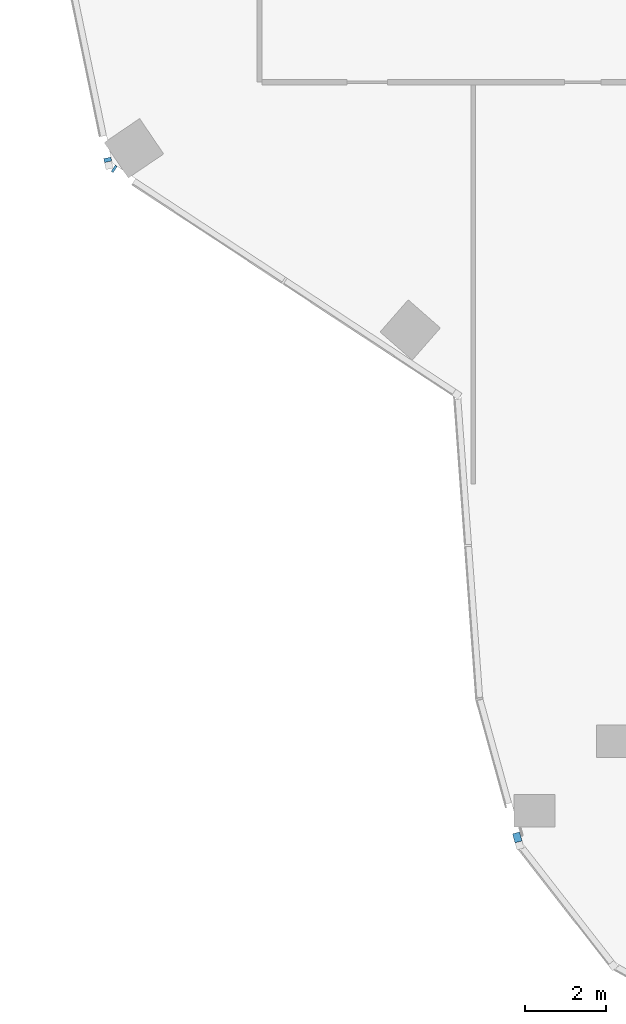
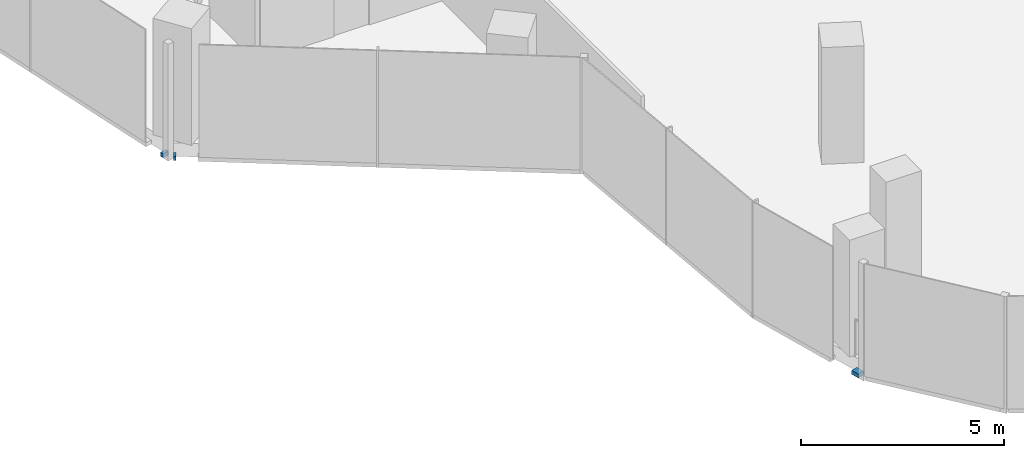
# One storey, part 12 of 24: 3 members, 3 elements without a shape of their own.
"""IFC4 building model written with IfcOpenShell, lengths in metres."""

from ifc_helpers import new_model, si_unit, direction, frame, origin, origin_2d, place, context, subcontext, project, spatial, rectangle, extrude, material, material_profile, profile_set, type_object, element, aggregate, save


model = new_model("IFC4")

# Units and contexts
model_context = context("Model", 3, precision=1e-05, world=origin(), true_north=direction((0.0, 1.0)))
body_context = subcontext(model_context, "Body", "Model", "MODEL_VIEW")
ifc_project = project(units=[si_unit("LENGTHUNIT", "METRE"), si_unit("AREAUNIT", "SQUARE_METRE"), si_unit("VOLUMEUNIT", "CUBIC_METRE"), si_unit("PLANEANGLEUNIT", "RADIAN"), si_unit("MASSUNIT", "GRAM", prefix="KILO")], contexts=[model_context])

# Site, building, storey
site_placement = place(None, origin())
site = spatial("IfcSite", under=ifc_project, at=site_placement, CompositionType="ELEMENT")
building_placement = place(site_placement, origin())
building = spatial("IfcBuilding", under=site, at=building_placement, Name="Orlundy Tower", CompositionType="ELEMENT")
storey_placement = place(building_placement, frame((0.0, 0.0, 242.5)))
storey = spatial("IfcBuildingStorey", under=building, at=storey_placement, Name="L64", CompositionType="ELEMENT", Elevation=242.5)

# Curtain wall, member
ifc_material_1 = material(Name="Aluminium bronze anodised", Category="aluminium")
curtain_wall_type = type_object("IfcCurtainWallType", Name="CW1 wall", PredefinedType="NOTDEFINED", material=ifc_material_1)
curtain_wall_1_placement = place(storey_placement, origin())
curtain_wall_1 = element("IfcCurtainWall", 1, at=curtain_wall_1_placement, inside=storey, type_object=curtain_wall_type, Name="CW1 run 011", PredefinedType="NOTDEFINED")
ifc_material_2 = material(Name="Aluminium bronze anodised", Category="aluminium")
ifc_material_profile = material_profile(ifc_material_2, rectangle(XDim=0.179931640625, YDim=0.1201171875, at=origin_2d()), Name="CW1 transom 180x120")
ifc_profile_set = profile_set([ifc_material_profile], Name="Aluminium bronze anodised")
member_type = type_object("IfcMemberType", Name="CW1 transom 180x120", PredefinedType="USERDEFINED", material=ifc_profile_set)
member_1_placement = place(storey_placement, frame((-16.887939453125, -34.9013671875, -0.340087890625), z_axis=(-0.265928998126, 0.963992618206, 0.0), x_axis=(-0.963992618206, -0.265928998126, 0.0)))
member_1 = element("IfcMember", 2, at=member_1_placement, type_object=member_type, Name="CW1 transom", ObjectType="TRANSOM", PredefinedType="USERDEFINED", context=body_context, shape_type="SweptSolid", body=[
    extrude(rectangle(XDim=0.179931640625, YDim=0.1201171875, at=origin_2d()), origin(), (0.0, 0.0, 1.0), 0.227783203125),
])
aggregate(curtain_wall_1, [member_1])

curtain_wall_2_placement = place(storey_placement, origin())
curtain_wall_2 = element("IfcCurtainWall", 3, at=curtain_wall_2_placement, inside=storey, type_object=curtain_wall_type, Name="CW1 run 013", PredefinedType="NOTDEFINED")
member_2_placement = place(storey_placement, frame((-26.791015625, -18.393798828125, -0.340087890625), z_axis=(-0.834534900389, 0.550955079868, 0.0), x_axis=(-0.550955079868, -0.834534900389, 0.0)))
member_2 = element("IfcMember", 4, at=member_2_placement, type_object=member_type, Name="CW1 transom", ObjectType="TRANSOM", PredefinedType="USERDEFINED", context=body_context, shape_type="SweptSolid", body=[
    extrude(rectangle(XDim=0.179931640625, YDim=0.1201171875, at=origin_2d()), origin(), (0.0, 0.0, 1.0), 0.060302734375),
])
aggregate(curtain_wall_2, [member_2])

curtain_wall_3_placement = place(storey_placement, origin())
curtain_wall_3 = element("IfcCurtainWall", 5, at=curtain_wall_3_placement, inside=storey, type_object=curtain_wall_type, Name="CW1 run 014", PredefinedType="NOTDEFINED")
member_3_placement = place(storey_placement, frame((-26.9658203125, -18.20263671875, -0.340087890625), z_axis=(-0.202854035669, 0.979208986995, 0.0), x_axis=(-0.979208986995, -0.202854035669, 0.0)))
member_3 = element("IfcMember", 6, at=member_3_placement, type_object=member_type, Name="CW1 transom", ObjectType="TRANSOM", PredefinedType="USERDEFINED", context=body_context, shape_type="SweptSolid", body=[
    extrude(rectangle(XDim=0.179931640625, YDim=0.1201171875, at=origin_2d()), origin(), (0.0, 0.0, 1.0), 0.097412109375),
])
aggregate(curtain_wall_3, [member_3])

save(model, "model.ifc")
